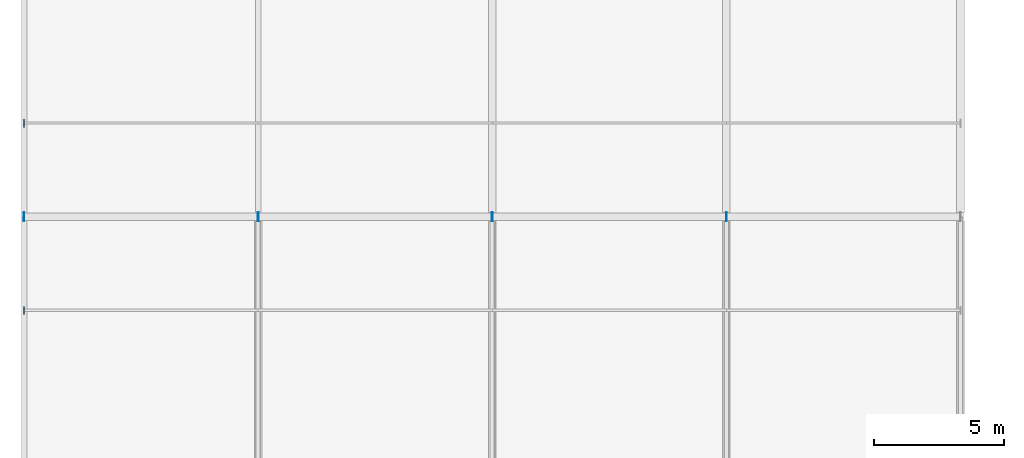
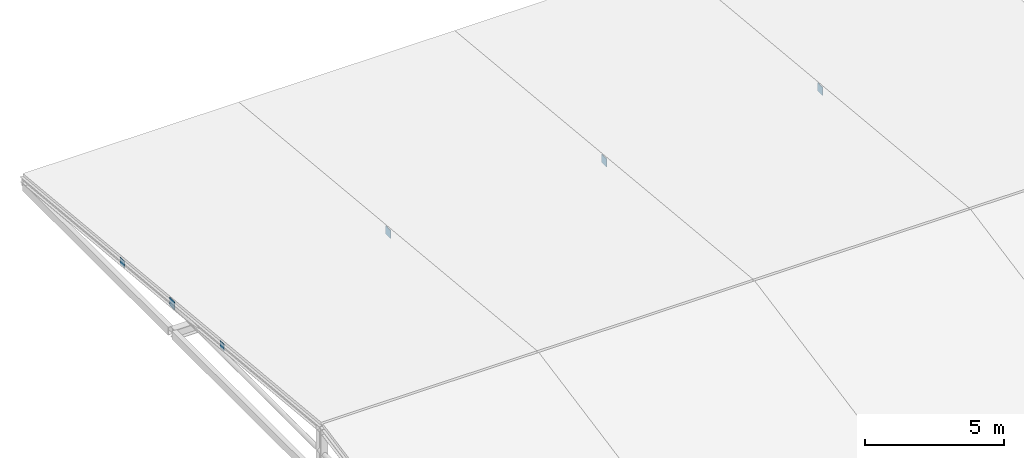
# One storey, part 87 of 110: 6 plates.
"""IFC4 building model written with IfcOpenShell, lengths in metres."""

from ifc_helpers import new_model, si_unit, direction, frame, origin, origin_2d, place, context, subcontext, project, spatial, rectangle, extrude, material, layer, layer_set, type_object, element, save


model = new_model("IFC4")

# Units and contexts
model_context = context("Model", 3, precision=1e-05, world=origin(), true_north=direction((0.0, 1.0)))
body_context = subcontext(model_context, "Body", "Model", "MODEL_VIEW")
ifc_project = project(units=[si_unit("LENGTHUNIT", "METRE"), si_unit("AREAUNIT", "SQUARE_METRE"), si_unit("VOLUMEUNIT", "CUBIC_METRE"), si_unit("PLANEANGLEUNIT", "RADIAN"), si_unit("MASSUNIT", "GRAM", prefix="KILO")], contexts=[model_context])

# Site, building, storey
site_placement = place(None, origin())
site = spatial("IfcSite", under=ifc_project, at=site_placement, CompositionType="ELEMENT")
building_placement = place(site_placement, origin())
building = spatial("IfcBuilding", under=site, at=building_placement, Name="Tamarisk Ironworks Central Station", CompositionType="ELEMENT")
storey_placement = place(building_placement, frame((0.0, 0.0, 17.39990234375)))
storey = spatial("IfcBuildingStorey", under=building, at=storey_placement, Name="L03", CompositionType="ELEMENT", Elevation=17.39990234375)

# Plates
ifc_material_1 = material(Name="Painted structural steel S355J2", Category="steel")
ifc_layer_1 = layer(ifc_material_1, 0.01611328125)
ifc_layer_set_1 = layer_set([ifc_layer_1], Name="Painted structural steel S355J2")
plate_type_1 = type_object("IfcPlateType", Name="PL-EC16", PredefinedType="SHEET", material=ifc_layer_set_1)
for number, where, z_axis, x_axis, name in (
    (1, (0.0, 108.0, 1.1552734375), (0.0, 0.0, 1.0), (1.0, 0.0, 0.0), "Hollow section welded end-cap plate 22"),
    (2, (0.0, 115.199951171875, 0.455078125), (0.0, 0.0, 1.0), (1.0, 0.0, 0.0), "Hollow section welded end-cap plate 26"),
):
    element("IfcPlate", number, at=place(storey_placement, frame(where, z_axis=z_axis, x_axis=x_axis)), inside=storey, type_object=plate_type_1, Name=name, PredefinedType="SHEET", context=body_context, shape_type="SweptSolid", body=[
        extrude(rectangle(XDim=0.02392578125, YDim=0.300048828125, at=origin_2d()), origin(), (0.0, 0.0, 1.0), 0.300048828125),
    ])
ifc_material_2 = material(Name="Structural steel S355J2H", Category="steel")
ifc_layer_2 = layer(ifc_material_2, 0.02587890625)
ifc_layer_set_2 = layer_set([ifc_layer_2], Name="Structural steel S355J2H")
plate_type_2 = type_object("IfcPlateType", Name="PL-ND26", PredefinedType="SHEET", material=ifc_layer_set_2)
for number, where, z_axis, x_axis, name in (
    (3, (0.0, 111.60009765625, 0.7998046875), (0.0, 0.0, 1.0), (1.0, 0.0, 0.0), "Pavilion collar tie gusset plate 00-111"),
    (4, (9.0, 111.60009765625, 0.7998046875), (0.0, 0.0, 1.0), (1.0, 0.0, 0.0), "Pavilion collar tie gusset plate 09-111"),
    (5, (18.0, 111.60009765625, 0.7998046875), (0.0, 0.0, 1.0), (1.0, 0.0, 0.0), "Pavilion collar tie gusset plate 18-111"),
    (6, (27.0, 111.60009765625, 0.7998046875), (0.0, 0.0, 1.0), (1.0, 0.0, 0.0), "Pavilion collar tie gusset plate 27-111"),
):
    element("IfcPlate", number, at=place(storey_placement, frame(where, z_axis=z_axis, x_axis=x_axis)), inside=storey, type_object=plate_type_2, Name=name, PredefinedType="SHEET", context=body_context, shape_type="SweptSolid", body=[
        extrude(rectangle(XDim=0.02587890625, YDim=0.360107421875, at=origin_2d()), origin(), (0.0, 0.0, 1.0), 0.360107421875),
    ])

save(model, "model.ifc")
